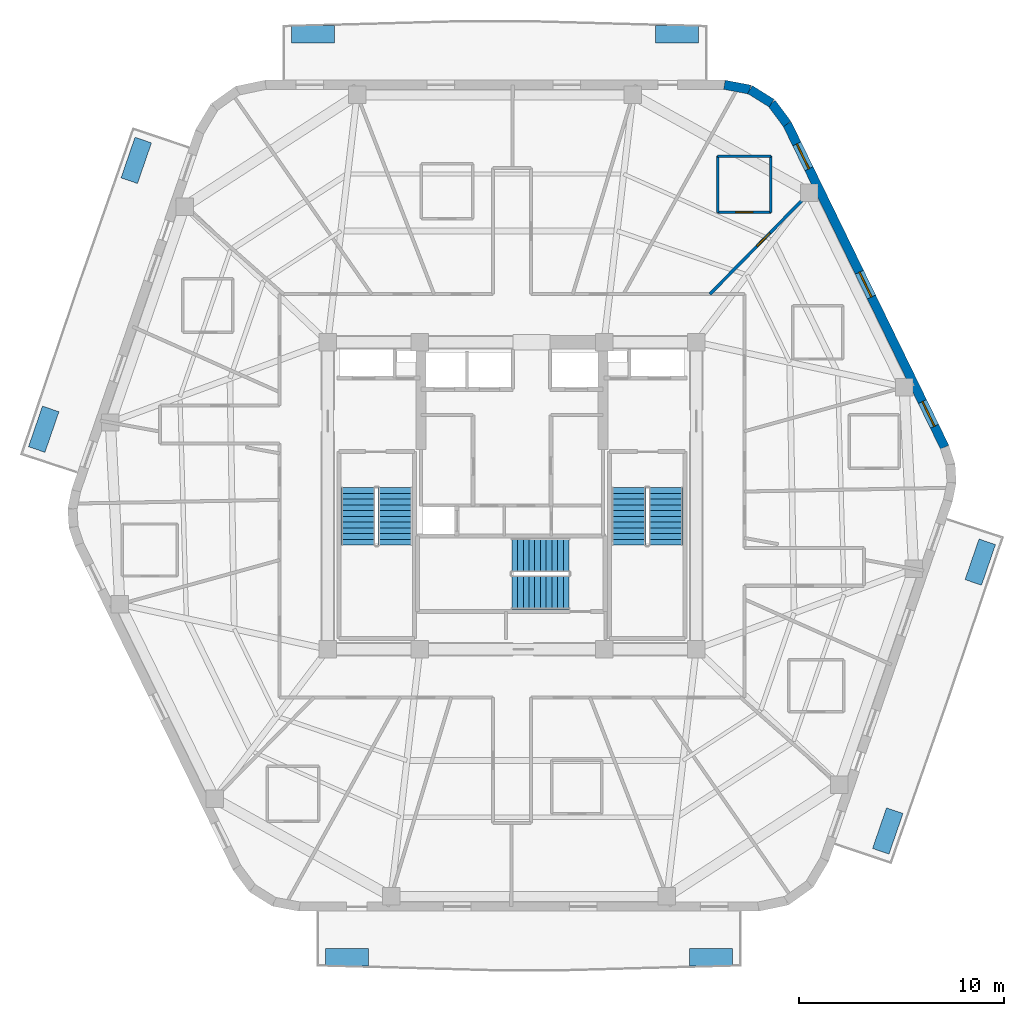
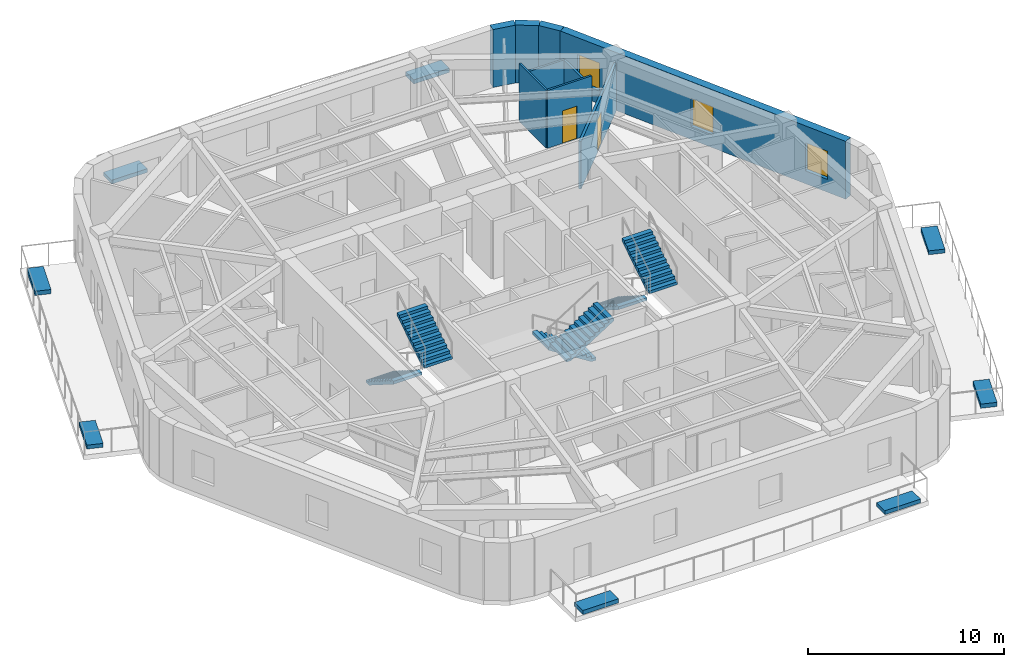
# One storey, part 7 of 9: 9 walls, 8 discrete accessories, 6 stair flights, 3 windows, 2 doors, 5 openings, 3 elements without a shape of their own.
"""IFC4 building model written with IfcOpenShell, lengths in metres."""

import ifcopenshell
import ifcopenshell.guid

model = None  # the IFC model being written
_history = None  # IfcOwnerHistory: only IFC2X3 demands one
_inside = {}  # id of a spatial element -> (the spatial element, [elements in it])
_under = {}  # id of a project, library or spatial element -> (it, [spatial elements below it])
_declared = {}  # id of a project -> (the project, [libraries it declares])
_typed = {}  # id of a type object -> (the type object, [elements of that type])
_made_of = {}  # id of a material, layer set ... -> (it, [elements and type objects made of it])


def new_model(schema):
    """Start an empty IFC model of exactly this schema.

    Asked for "IFC4X3", IfcOpenShell would pick the latest addendum, in which some entities
    have other attributes; the version numbers below select the first issue.
    IFC2X3 requires an IfcOwnerHistory on every rooted entity: one is made here for all.
    """
    global model, _history
    if schema == "IFC4X3":
        model = ifcopenshell.file(schema_version=(4, 3, 0, 0))
    else:
        model = ifcopenshell.file(schema=schema)
    _inside.clear()
    _under.clear()
    _declared.clear()
    _typed.clear()
    _made_of.clear()
    _history = None
    if model.schema == "IFC2X3":
        org = make("IfcOrganization", Name="unknown")
        user = make(
            "IfcPersonAndOrganization",
            ThePerson=make("IfcPerson", FamilyName="unknown"),
            TheOrganization=org,
        )
        app = make(
            "IfcApplication",
            ApplicationDeveloper=org,
            Version="unknown",
            ApplicationFullName="unknown",
            ApplicationIdentifier="unknown",
        )
        _history = make(
            "IfcOwnerHistory",
            OwningUser=user,
            OwningApplication=app,
            ChangeAction="ADDED",
            CreationDate=0,
        )
    return model


def make(cls, **values):
    """One entity of the class cls with the attributes given. An attribute that is None is left unset."""
    return model.create_entity(
        cls, **{name: value for name, value in values.items() if value is not None}
    )


def rooted(cls, **values):
    """An entity with a GlobalId (a new one), such as an element, a storey or a relation."""
    return make(cls, GlobalId=ifcopenshell.guid.new(), OwnerHistory=_history, **values)


def si_unit(unit_type, name, prefix=None):
    """IfcSIUnit, for example si_unit("LENGTHUNIT", "METRE", prefix="MILLI")."""
    return make("IfcSIUnit", UnitType=unit_type, Prefix=prefix, Name=name)


def assignment(units):
    """IfcUnitAssignment: the units of a project."""
    return None if units is None else make("IfcUnitAssignment", Units=units)


def point(xyz):
    """IfcCartesianPoint."""
    return None if xyz is None else make("IfcCartesianPoint", Coordinates=xyz)


def direction(xyz):
    """IfcDirection."""
    return None if xyz is None else make("IfcDirection", DirectionRatios=xyz)


def frame(location, z_axis=None, x_axis=None):
    """IfcAxis2Placement3D, a coordinate frame: its origin and axes. An axis left out is left unset."""
    return make(
        "IfcAxis2Placement3D",
        Location=point(location),
        Axis=direction(z_axis),
        RefDirection=direction(x_axis),
    )


def frame_2d(location, x_axis=None):
    """IfcAxis2Placement2D, a coordinate frame in the plane: its origin and x axis."""
    return make(
        "IfcAxis2Placement2D", Location=point(location), RefDirection=direction(x_axis)
    )


def origin():
    """The frame at (0, 0, 0) with its axes left unset."""
    return frame((0.0, 0.0, 0.0))


def origin_2d():
    """The frame at (0, 0) in the plane with its x axis left unset."""
    return frame_2d((0.0, 0.0))


def place(relative_to, where):
    """IfcLocalPlacement: puts the frame where relative to a parent placement (None: the world)."""
    return make(
        "IfcLocalPlacement", PlacementRelTo=relative_to, RelativePlacement=where
    )


def context(
    kind, dimensions, precision=None, world=None, true_north=None, identifier=None
):
    """IfcGeometricRepresentationContext, for example the 3D "Model" context."""
    return make(
        "IfcGeometricRepresentationContext",
        ContextIdentifier=identifier,
        ContextType=kind,
        CoordinateSpaceDimension=dimensions,
        Precision=precision,
        WorldCoordinateSystem=world,
        TrueNorth=true_north,
    )


def subcontext(parent, identifier, kind, view, scale=None):
    """IfcGeometricRepresentationSubContext, for example "Body" below "Model"."""
    return make(
        "IfcGeometricRepresentationSubContext",
        ContextIdentifier=identifier,
        ContextType=kind,
        ParentContext=parent,
        TargetScale=scale,
        TargetView=view,
    )


def project(units=None, contexts=None):
    """IfcProject with its units and contexts."""
    return rooted(
        "IfcProject",
        Name="project",
        RepresentationContexts=contexts,
        UnitsInContext=assignment(units),
    )


def spatial(cls, under=None, at=None, **own):
    """A site, building, storey or space (cls), placed at a placement, below another one or the project."""
    s = rooted(cls, ObjectPlacement=at, **own)
    if under is not None:
        _under.setdefault(under.id(), (under, []))[1].append(s)
    return s


def polyline(points):
    """IfcPolyline through the points."""
    return make("IfcPolyline", Points=[point(p) for p in points])


def profile(cls, at=None, kind="AREA", **sizes):
    """A parametric profile (cls). Its sizes go by their IFC names, for example OverallWidth=200.0."""
    return make(cls, ProfileType=kind, Position=at, **sizes)


def rectangle(**sizes):
    """IfcRectangleProfileDef."""
    return profile("IfcRectangleProfileDef", **sizes)


def outline(outer, holes=None, kind="AREA"):
    """IfcArbitraryClosedProfileDef: a profile drawn as a closed curve; with holes, ...WithVoids."""
    if holes is None:
        return make("IfcArbitraryClosedProfileDef", ProfileType=kind, OuterCurve=outer)
    return make(
        "IfcArbitraryProfileDefWithVoids",
        ProfileType=kind,
        OuterCurve=outer,
        InnerCurves=holes,
    )


def extrude(swept, where, along, depth):
    """IfcExtrudedAreaSolid: the profile swept, set in the frame where, extruded along a direction by depth."""
    return make(
        "IfcExtrudedAreaSolid",
        SweptArea=swept,
        Position=where,
        ExtrudedDirection=direction(along),
        Depth=depth,
    )


def shape(context_of_items, identifier, shape_type, items):
    """IfcShapeRepresentation: the items that make up one representation, for example the "Body"."""
    return make(
        "IfcShapeRepresentation",
        ContextOfItems=context_of_items,
        RepresentationIdentifier=identifier,
        RepresentationType=shape_type,
        Items=items,
    )


def material(Name=None, Category=None):
    """IfcMaterial."""
    return make("IfcMaterial", Name=Name, Category=Category)


def layer(
    of_material, thickness, ventilated=None, Name=None, Category=None, Priority=None
):
    """IfcMaterialLayer: one layer of a wall or slab, of a material (None: an air gap)."""
    return make(
        "IfcMaterialLayer",
        Material=of_material,
        LayerThickness=thickness,
        IsVentilated=ventilated,
        Name=Name,
        Category=Category,
        Priority=Priority,
    )


def layer_set(layers, Name=None):
    """IfcMaterialLayerSet."""
    return make("IfcMaterialLayerSet", MaterialLayers=layers, LayerSetName=Name)


def made_of(thing, what):
    """Note that an element or type object is made of a material, layer set ...; save() writes the relation."""
    if what is not None:
        _made_of.setdefault(what.id(), (what, []))[1].append(thing)
    return thing


def type_object(cls, material=None, **own):
    """A type object (cls), such as IfcWallType, which elements share."""
    return made_of(rooted(cls, **own), material)


def element(
    cls,
    number,
    at=None,
    inside=None,
    cuts=None,
    type_object=None,
    material=None,
    context=None,
    identifier="Body",
    shape_type=None,
    held_by="IfcProductDefinitionShape",
    body=None,
    shapes=None,
    **own,
):
    """One element of the class cls, such as IfcWall. Its Tag is "e" and its number.

    at: its placement. inside: the storey or other place that contains it. cuts: it is an
    opening in that element (IfcRelVoidsElement). A single representation is given by context,
    identifier, shape_type and body (its items); several are given by shapes. held_by: the class
    of the entity that holds the representations. save() writes the other relations.
    """
    e = rooted(cls, Tag="e%d" % number, ObjectPlacement=at, **own)
    if body is not None:
        shapes = [shape(context, identifier, shape_type, body)]
    if shapes is not None:
        e.Representation = make(held_by, Representations=shapes)
    if inside is not None:
        _inside.setdefault(inside.id(), (inside, []))[1].append(e)
    if cuts is not None:
        rooted(
            "IfcRelVoidsElement", RelatingBuildingElement=cuts, RelatedOpeningElement=e
        )
    if type_object is not None:
        _typed.setdefault(type_object.id(), (type_object, []))[1].append(e)
    return made_of(e, material)


def fill(opening, filler):
    """IfcRelFillsElement: the door or window that sits in an opening."""
    return rooted(
        "IfcRelFillsElement",
        RelatingOpeningElement=opening,
        RelatedBuildingElement=filler,
    )


def aggregate(whole, parts):
    """IfcRelAggregates: a whole, such as a stair, and the parts it consists of."""
    return rooted("IfcRelAggregates", RelatingObject=whole, RelatedObjects=parts)


def save(model, path):
    """Write the relations noted so far, then the file.

    IfcRelAggregates (storeys below a building ...), IfcRelContainedInSpatialStructure (elements
    in a storey), IfcRelDefinesByType, IfcRelAssociatesMaterial and IfcRelDeclares: one each for
    every whole, place, type object, material and project.
    """
    for whole, parts in _under.values():
        aggregate(whole, parts)
    for where, things in _inside.values():
        rooted(
            "IfcRelContainedInSpatialStructure",
            RelatedElements=things,
            RelatingStructure=where,
        )
    for kind, things in _typed.values():
        rooted("IfcRelDefinesByType", RelatedObjects=things, RelatingType=kind)
    for what, things in _made_of.values():
        rooted("IfcRelAssociatesMaterial", RelatedObjects=things, RelatingMaterial=what)
    for by, libraries in _declared.values():
        rooted("IfcRelDeclares", RelatingContext=by, RelatedDefinitions=libraries)
    model.write(path)


model = new_model("IFC4")

# Units and contexts
model_context = context("Model", 3, precision=1e-05, world=origin(), true_north=direction((0.0, 1.0)))
body_context = subcontext(model_context, "Body", "Model", "MODEL_VIEW")
ifc_project = project(units=[si_unit("LENGTHUNIT", "METRE"), si_unit("AREAUNIT", "SQUARE_METRE"), si_unit("VOLUMEUNIT", "CUBIC_METRE"), si_unit("PLANEANGLEUNIT", "RADIAN"), si_unit("MASSUNIT", "GRAM", prefix="KILO")], contexts=[model_context])

# Site, building, storey
site_placement = place(None, origin())
site = spatial("IfcSite", under=ifc_project, at=site_placement, CompositionType="ELEMENT")
building_placement = place(site_placement, origin())
building = spatial("IfcBuilding", under=site, at=building_placement, Name="Kilnhurst Terrace Hotel", CompositionType="ELEMENT")
storey_placement = place(building_placement, frame((0.0, 0.0, 265.199951171875)))
storey = spatial("IfcBuildingStorey", under=building, at=storey_placement, Name="L66", CompositionType="ELEMENT", Elevation=265.199951171875)

# Walls
ifc_material_1 = material(Name="Precast concrete C40/50", Category="concrete")
ifc_layer_1 = layer(ifc_material_1, 0.449951171875, Name="Precast concrete C40/50")
ifc_layer_set_1 = layer_set([ifc_layer_1], Name="Precast concrete C40/50")
wall_type_1 = type_object("IfcWallType", Name="WL-BRK-450", PredefinedType="SOLIDWALL", material=ifc_layer_set_1)
wall_1_placement = place(storey_placement, frame((13.44287109375, 18.159912109375, 0.0), z_axis=(0.0, 0.0, 1.0), x_axis=(-0.597042425808, 0.802209661987, 0.0)))
element("IfcWall", 1, at=wall_1_placement, inside=storey, type_object=wall_type_1, Name="L66 Rounded Corner Brick Wall C4.1", PredefinedType="SOLIDWALL", context=body_context, shape_type="SweptSolid", body=[
    extrude(rectangle(XDim=1.269775390625, YDim=0.449951171875, at=frame_2d((0.634765625, 0.0))), origin(), (0.0, 0.0, 1.0), 3.60009765625),
])
wall_2_placement = place(storey_placement, frame((12.684814453125, 19.178466796875, 0.0), z_axis=(0.0, 0.0, 1.0), x_axis=(-0.848031272749, 0.529946186362, 0.0)))
element("IfcWall", 2, at=wall_2_placement, inside=storey, type_object=wall_type_1, Name="L66 Rounded Corner Brick Wall C4.2", PredefinedType="SOLIDWALL", context=body_context, shape_type="SweptSolid", body=[
    extrude(rectangle(XDim=1.248046875, YDim=0.449951171875, at=frame_2d((0.6240234375, 0.0))), origin(), (0.0, 0.0, 1.0), 3.60009765625),
])
wall_3_placement = place(storey_placement, frame((11.62646484375, 19.83984375, 0.0), z_axis=(0.0, 0.0, 1.0), x_axis=(-0.982701956681, 0.185194126083, 0.0)))
element("IfcWall", 3, at=wall_3_placement, inside=storey, type_object=wall_type_1, Name="L66 Rounded Corner Brick Wall C4.3", PredefinedType="SOLIDWALL", context=body_context, shape_type="SweptSolid", body=[
    extrude(rectangle(XDim=1.26953125, YDim=0.449951171875, at=frame_2d((0.634765625, 0.0))), origin(), (0.0, 0.0, 1.0), 3.60009765625),
])

# Wall, openings, windows
wall_4_placement = place(storey_placement, frame((21.138427734375, 2.370849609375, 0.0), z_axis=(0.0, 0.0, 1.0), x_axis=(-0.438128124058, 0.89891253574, 0.0)))
wall_4 = element("IfcWall", 4, at=wall_4_placement, inside=storey, type_object=wall_type_1, Name="L66 Exterior Brick Facade Wall F3", PredefinedType="SOLIDWALL", context=body_context, shape_type="SweptSolid", body=[
    extrude(rectangle(XDim=17.564697265625, YDim=0.449951171875, at=frame_2d((8.7822265625, 0.0))), origin(), (0.0, 0.0, 1.0), 3.60009765625),
])
opening_1_placement = place(wall_4_placement, frame((1.133056640625, 0.0, 0.800048828125)))
opening_1 = element("IfcOpeningElement", 5, at=opening_1_placement, cuts=wall_4, Name="Opening W-06", PredefinedType="OPENING", context=body_context, shape_type="SweptSolid", body=[
    extrude(rectangle(XDim=1.35009765625, YDim=1.75, at=frame_2d((0.675048828125, 0.875))), frame((0.0, 0.23486328125, 0.0), z_axis=(0.0, -1.0, 0.0), x_axis=(1.0, 0.0, 0.0)), (0.0, 0.0, 1.0), 0.469970703125),
])
opening_2_placement = place(wall_4_placement, frame((8.157958984375, 0.0, 0.800048828125)))
opening_2 = element("IfcOpeningElement", 6, at=opening_2_placement, cuts=wall_4, Name="Opening W-06", PredefinedType="OPENING", context=body_context, shape_type="SweptSolid", body=[
    extrude(rectangle(XDim=1.35009765625, YDim=1.75, at=frame_2d((0.675048828125, 0.875))), frame((0.0, 0.23486328125, 0.0), z_axis=(0.0, -1.0, 0.0), x_axis=(1.0, 0.0, 0.0)), (0.0, 0.0, 1.0), 0.469970703125),
])
opening_3_placement = place(wall_4_placement, frame((15.132080078125, 0.0, 0.800048828125)))
opening_3 = element("IfcOpeningElement", 7, at=opening_3_placement, cuts=wall_4, Name="Opening W-06", PredefinedType="OPENING", context=body_context, shape_type="SweptSolid", body=[
    extrude(rectangle(XDim=1.35009765625, YDim=1.75, at=frame_2d((0.675048828125, 0.875))), frame((0.0, 0.23486328125, 0.0), z_axis=(0.0, -1.0, 0.0), x_axis=(1.0, 0.0, 0.0)), (0.0, 0.0, 1.0), 0.469970703125),
])
ifc_material_2 = material(Name="Thermally Broken Bronze Aluminium Alloy 6063-T6 and Low-E Glass", Category="aluminium")
window_type = type_object("IfcWindowType", Name="WIN-1350X1750", PartitioningType="SINGLE_PANEL", PredefinedType="WINDOW", material=ifc_material_2)
window_1_placement = place(opening_1_placement, origin())
window_1 = element("IfcWindow", 8, at=window_1_placement, inside=storey, type_object=window_type, Name="L66 Deep-Set Masonry Window F3.1", OverallHeight=1.75, OverallWidth=1.35009765625, PartitioningType="SINGLE_PANEL", PredefinedType="WINDOW", context=body_context, shape_type="SweptSolid", body=[
    extrude(rectangle(XDim=1.35009765625, YDim=1.75, at=frame_2d((0.675048828125, 0.875))), frame((0.0, 0.030029296875, 0.0), z_axis=(0.0, -1.0, 0.0), x_axis=(1.0, 0.0, 0.0)), (0.0, 0.0, 1.0), 0.06005859375),
])
fill(opening_1, window_1)
window_2_placement = place(opening_2_placement, origin())
window_2 = element("IfcWindow", 9, at=window_2_placement, inside=storey, type_object=window_type, Name="L66 Deep-Set Masonry Window F3.2", OverallHeight=1.75, OverallWidth=1.35009765625, PartitioningType="SINGLE_PANEL", PredefinedType="WINDOW", context=body_context, shape_type="SweptSolid", body=[
    extrude(rectangle(XDim=1.35009765625, YDim=1.75, at=frame_2d((0.675048828125, 0.875))), frame((0.0, 0.030029296875, 0.0), z_axis=(0.0, -1.0, 0.0), x_axis=(1.0, 0.0, 0.0)), (0.0, 0.0, 1.0), 0.06005859375),
])
fill(opening_2, window_2)
window_3_placement = place(opening_3_placement, origin())
window_3 = element("IfcWindow", 10, at=window_3_placement, inside=storey, type_object=window_type, Name="L66 Deep-Set Masonry Window F3.3", OverallHeight=1.75, OverallWidth=1.35009765625, PartitioningType="SINGLE_PANEL", PredefinedType="WINDOW", context=body_context, shape_type="SweptSolid", body=[
    extrude(rectangle(XDim=1.35009765625, YDim=1.75, at=frame_2d((0.675048828125, 0.875))), frame((0.0, 0.030029296875, 0.0), z_axis=(0.0, -1.0, 0.0), x_axis=(1.0, 0.0, 0.0)), (0.0, 0.0, 1.0), 0.06005859375),
])
fill(opening_3, window_3)

# Wall, opening, door
ifc_material_3 = material(Name="STC-58 Acoustic Twin-Frame Guestroom Demising Partition")
ifc_layer_2 = layer(ifc_material_3, 0.14990234375, Name="STC-58 Acoustic Twin-Frame Guestroom Demising Partition")
ifc_layer_set_2 = layer_set([ifc_layer_2], Name="STC-58 Acoustic Twin-Frame Guestroom Demising Partition")
wall_type_2 = type_object("IfcWallType", Name="WL-DEM-150", PredefinedType="PARTITIONING", material=ifc_layer_set_2)
wall_5_placement = place(storey_placement, frame((9.67236328125, 9.85009765625, 0.0), z_axis=(0.0, 0.0, 1.0), x_axis=(0.700629771301, 0.713524998558, 0.0)))
wall_5 = element("IfcWall", 11, at=wall_5_placement, inside=storey, type_object=wall_type_2, Name="L66 Interior Wall WL-L66-DEM-COL02-03-1", PredefinedType="PARTITIONING", context=body_context, shape_type="SweptSolid", body=[
    extrude(rectangle(XDim=7.45947265625, YDim=0.14990234375, at=frame_2d((3.729736328125, 0.0))), origin(), (0.0, 0.0, 1.0), 2.93994140625),
])
opening_4_placement = place(wall_5_placement, frame((3.280029296875, 0.0, 0.0)))
opening_4 = element("IfcOpeningElement", 12, at=opening_4_placement, cuts=wall_5, Name="Opening D-09B", PredefinedType="OPENING", context=body_context, shape_type="SweptSolid", body=[
    extrude(rectangle(XDim=0.89990234375, YDim=2.030029296875, at=frame_2d((0.449951171875, 1.01513671875))), frame((0.0, 0.0849609375, 0.0), z_axis=(0.0, -1.0, 0.0), x_axis=(1.0, 0.0, 0.0)), (0.0, 0.0, 1.0), 0.169921875),
])
ifc_material_4 = material(Name="Moisture-Resistant Solid-Core Restroom Door")
door_type_1 = type_object("IfcDoorType", Name="DR-INT-900", OperationType="NOTDEFINED", PredefinedType="DOOR", material=ifc_material_4)
door_1_placement = place(opening_4_placement, origin())
door_1 = element("IfcDoor", 13, at=door_1_placement, inside=storey, type_object=door_type_1, Name="L66 Sky Residence Bedroom Door 2", OperationType="SINGLE_SWING_RIGHT", OverallHeight=2.030029296875, OverallWidth=0.89990234375, PredefinedType="DOOR", context=body_context, shape_type="SweptSolid", body=[
    extrude(rectangle(XDim=0.89990234375, YDim=2.030029296875, at=frame_2d((0.449951171875, 1.01513671875))), frame((0.0, 0.02490234375, 0.0), z_axis=(0.0, -1.0, 0.0), x_axis=(1.0, 0.0, 0.0)), (0.0, 0.0, 1.0), 0.050048828125),
])
fill(opening_4, door_1)

ifc_material_5 = material(Name="120 mm Moisture-Resistant Tile-Backed Bathroom Partition")
ifc_layer_3 = layer(ifc_material_5, 0.1201171875, Name="120 mm Moisture-Resistant Tile-Backed Bathroom Partition")
ifc_layer_set_3 = layer_set([ifc_layer_3], Name="120 mm Moisture-Resistant Tile-Backed Bathroom Partition")
wall_type_3 = type_object("IfcWallType", Name="WL-PART-120", PredefinedType="PARTITIONING", material=ifc_layer_set_3)
wall_6_placement = place(storey_placement, frame((10.049072265625, 13.840087890625, 0.0), z_axis=(0.0, 0.0, 1.0), x_axis=(1.0, 0.0, 0.0)))
wall_6 = element("IfcWall", 14, at=wall_6_placement, inside=storey, type_object=wall_type_3, Name="L66 Interior Wall WL-L66-RBTH-02-1", PredefinedType="PARTITIONING", context=body_context, shape_type="SweptSolid", body=[
    extrude(rectangle(XDim=2.599853515625, YDim=0.1201171875, at=frame_2d((1.2998046875, 0.0))), origin(), (0.0, 0.0, 1.0), 3.60009765625),
])
opening_5_placement = place(wall_6_placement, frame((0.875, 0.0, 0.0)))
opening_5 = element("IfcOpeningElement", 15, at=opening_5_placement, cuts=wall_6, Name="Opening D-08A", PredefinedType="OPENING", context=body_context, shape_type="SweptSolid", body=[
    extrude(rectangle(XDim=0.85009765625, YDim=2.030029296875, at=frame_2d((0.425048828125, 1.01513671875))), frame((0.0, 0.070068359375, 0.0), z_axis=(0.0, -1.0, 0.0), x_axis=(1.0, 0.0, 0.0)), (0.0, 0.0, 1.0), 0.14013671875),
])
ifc_material_6 = material(Name="Moisture-Resistant Lacquered En-suite Bathroom Door")
door_type_2 = type_object("IfcDoorType", Name="DR-INT-850", OperationType="NOTDEFINED", PredefinedType="DOOR", material=ifc_material_6)
door_2_placement = place(opening_5_placement, origin())
door_2 = element("IfcDoor", 16, at=door_2_placement, inside=storey, type_object=door_type_2, Name="L66 Sky Residence Bathroom Door 2", OperationType="SINGLE_SWING_LEFT", OverallHeight=2.030029296875, OverallWidth=0.85009765625, PredefinedType="DOOR", context=body_context, shape_type="SweptSolid", body=[
    extrude(rectangle(XDim=0.85009765625, YDim=2.030029296875, at=frame_2d((0.425048828125, 1.01513671875))), frame((0.0, 0.02490234375, 0.0), z_axis=(0.0, -1.0, 0.0), x_axis=(1.0, 0.0, 0.0)), (0.0, 0.0, 1.0), 0.050048828125),
])
fill(opening_5, door_2)

# Walls
wall_7_placement = place(storey_placement, frame((12.64892578125, 13.840087890625, 0.0), z_axis=(0.0, 0.0, 1.0), x_axis=(0.0, 1.0, 0.0)))
element("IfcWall", 17, at=wall_7_placement, inside=storey, type_object=wall_type_3, Name="L66 Interior Wall WL-L66-RBTH-02-2", PredefinedType="PARTITIONING", context=body_context, shape_type="SweptSolid", body=[
    extrude(rectangle(XDim=2.75, YDim=0.1201171875, at=frame_2d((1.375, 0.0))), origin(), (0.0, 0.0, 1.0), 2.93994140625),
])
wall_8_placement = place(storey_placement, frame((12.64892578125, 16.590087890625, 0.0), z_axis=(0.0, 0.0, 1.0), x_axis=(-1.0, 0.0, 0.0)))
element("IfcWall", 18, at=wall_8_placement, inside=storey, type_object=wall_type_3, Name="L66 Interior Wall WL-L66-RBTH-02-3", PredefinedType="PARTITIONING", context=body_context, shape_type="SweptSolid", body=[
    extrude(rectangle(XDim=2.599853515625, YDim=0.1201171875, at=frame_2d((1.2998046875, 0.0))), origin(), (0.0, 0.0, 1.0), 2.93994140625),
])
wall_9_placement = place(storey_placement, frame((10.049072265625, 16.590087890625, 0.0), z_axis=(0.0, 0.0, 1.0), x_axis=(0.0, -1.0, 0.0)))
element("IfcWall", 19, at=wall_9_placement, inside=storey, type_object=wall_type_3, Name="L66 Interior Wall WL-L66-RBTH-02-4", PredefinedType="PARTITIONING", context=body_context, shape_type="SweptSolid", body=[
    extrude(rectangle(XDim=2.75, YDim=0.1201171875, at=frame_2d((1.375, 0.0))), origin(), (0.0, 0.0, 1.0), 3.60009765625),
])

# Stair, stair flights
ifc_material_7 = material(Name="Concrete C50/60", Category="concrete")
stair_type = type_object("IfcStairType", Name="STR-CORE-1660", PredefinedType="HALF_TURN_STAIR", material=ifc_material_7)
stair_1_placement = place(storey_placement, origin())
stair_1 = element("IfcStair", 20, at=stair_1_placement, inside=storey, type_object=stair_type, Name="L66 ST-1", PredefinedType="HALF_TURN_STAIR")
stair_flight_type = type_object("IfcStairFlightType", Name="FLT-RC-1660", PredefinedType="STRAIGHT", material=ifc_material_7)
stair_flight_1_placement = place(storey_placement, frame((-7.52001953125, 0.389892578125, 0.0), z_axis=(0.0, 0.0, 1.0), x_axis=(0.0, -1.0, 0.0)))
stair_flight_1 = element("IfcStairFlight", 21, at=stair_flight_1_placement, type_object=stair_flight_type, Name="ST-1 flight 1", NumberOfRisers=11, NumberOfTreads=10, PredefinedType="STRAIGHT", RiserHeight=0.177272727, TreadLength=0.28, context=body_context, shape_type="SweptSolid", body=[
    extrude(outline(polyline([(0.0, 0.0), (0.0, 0.17724609375), (0.280029296875, 0.17724609375), (0.280029296875, 0.3544921875), (0.56005859375, 0.3544921875), (0.56005859375, 0.53173828125), (0.840087890625, 0.53173828125), (0.840087890625, 0.708984375), (1.1201171875, 0.708984375), (1.1201171875, 0.886474609375), (1.39990234375, 0.886474609375), (1.39990234375, 1.063720703125), (1.679931640625, 1.063720703125), (1.679931640625, 1.240966796875), (1.9599609375, 1.240966796875), (1.9599609375, 1.418212890625), (2.239990234375, 1.418212890625), (2.239990234375, 1.595458984375), (2.52001953125, 1.595458984375), (2.52001953125, 1.772705078125), (2.800048828125, 1.772705078125), (2.800048828125, 1.949951171875), (2.800048828125, 1.59521484375), (0.2802734375, 0.0), (0.0, 0.0)])), frame((0.0, 0.830078125, 0.0), z_axis=(0.0, -1.0, 0.0), x_axis=(1.0, 0.0, 0.0)), (0.0, 0.0, 1.0), 1.659912109375),
])
stair_flight_2_placement = place(storey_placement, frame((-5.7099609375, -2.409912109375, 1.949951171875), z_axis=(0.0, 0.0, 1.0), x_axis=(0.0, 1.0, 0.0)))
stair_flight_2 = element("IfcStairFlight", 22, at=stair_flight_2_placement, type_object=stair_flight_type, Name="ST-1 flight 2", NumberOfRisers=11, NumberOfTreads=10, PredefinedType="STRAIGHT", RiserHeight=0.177272727, TreadLength=0.28, context=body_context, shape_type="SweptSolid", body=[
    extrude(outline(polyline([(0.0, 0.0), (0.0, 0.17724609375), (0.280029296875, 0.17724609375), (0.280029296875, 0.3544921875), (0.56005859375, 0.3544921875), (0.56005859375, 0.53173828125), (0.840087890625, 0.53173828125), (0.840087890625, 0.708984375), (1.1201171875, 0.708984375), (1.1201171875, 0.886474609375), (1.39990234375, 0.886474609375), (1.39990234375, 1.063720703125), (1.679931640625, 1.063720703125), (1.679931640625, 1.240966796875), (1.9599609375, 1.240966796875), (1.9599609375, 1.418212890625), (2.239990234375, 1.418212890625), (2.239990234375, 1.595458984375), (2.52001953125, 1.595458984375), (2.52001953125, 1.772705078125), (2.800048828125, 1.772705078125), (2.800048828125, 1.949951171875), (2.800048828125, 1.59521484375), (0.2802734375, 0.0), (0.0, 0.0)])), frame((0.0, 0.830078125, 0.0), z_axis=(0.0, -1.0, 0.0), x_axis=(1.0, 0.0, 0.0)), (0.0, 0.0, 1.0), 1.659912109375),
])
aggregate(stair_1, [stair_flight_1, stair_flight_2])

stair_2_placement = place(storey_placement, origin())
stair_2 = element("IfcStair", 23, at=stair_2_placement, inside=storey, type_object=stair_type, Name="L66 ST-2", PredefinedType="HALF_TURN_STAIR")
stair_flight_3_placement = place(storey_placement, frame((5.7099609375, 0.389892578125, 0.0), z_axis=(0.0, 0.0, 1.0), x_axis=(0.0, -1.0, 0.0)))
stair_flight_3 = element("IfcStairFlight", 24, at=stair_flight_3_placement, type_object=stair_flight_type, Name="ST-2 flight 1", NumberOfRisers=11, NumberOfTreads=10, PredefinedType="STRAIGHT", RiserHeight=0.177272727, TreadLength=0.28, context=body_context, shape_type="SweptSolid", body=[
    extrude(outline(polyline([(0.0, 0.0), (0.0, 0.17724609375), (0.280029296875, 0.17724609375), (0.280029296875, 0.3544921875), (0.56005859375, 0.3544921875), (0.56005859375, 0.53173828125), (0.840087890625, 0.53173828125), (0.840087890625, 0.708984375), (1.1201171875, 0.708984375), (1.1201171875, 0.886474609375), (1.39990234375, 0.886474609375), (1.39990234375, 1.063720703125), (1.679931640625, 1.063720703125), (1.679931640625, 1.240966796875), (1.9599609375, 1.240966796875), (1.9599609375, 1.418212890625), (2.239990234375, 1.418212890625), (2.239990234375, 1.595458984375), (2.52001953125, 1.595458984375), (2.52001953125, 1.772705078125), (2.800048828125, 1.772705078125), (2.800048828125, 1.949951171875), (2.800048828125, 1.59521484375), (0.2802734375, 0.0), (0.0, 0.0)])), frame((0.0, 0.830078125, 0.0), z_axis=(0.0, -1.0, 0.0), x_axis=(1.0, 0.0, 0.0)), (0.0, 0.0, 1.0), 1.659912109375),
])
stair_flight_4_placement = place(storey_placement, frame((7.52001953125, -2.409912109375, 1.949951171875), z_axis=(0.0, 0.0, 1.0), x_axis=(0.0, 1.0, 0.0)))
stair_flight_4 = element("IfcStairFlight", 25, at=stair_flight_4_placement, type_object=stair_flight_type, Name="ST-2 flight 2", NumberOfRisers=11, NumberOfTreads=10, PredefinedType="STRAIGHT", RiserHeight=0.177272727, TreadLength=0.28, context=body_context, shape_type="SweptSolid", body=[
    extrude(outline(polyline([(0.0, 0.0), (0.0, 0.17724609375), (0.280029296875, 0.17724609375), (0.280029296875, 0.3544921875), (0.56005859375, 0.3544921875), (0.56005859375, 0.53173828125), (0.840087890625, 0.53173828125), (0.840087890625, 0.708984375), (1.1201171875, 0.708984375), (1.1201171875, 0.886474609375), (1.39990234375, 0.886474609375), (1.39990234375, 1.063720703125), (1.679931640625, 1.063720703125), (1.679931640625, 1.240966796875), (1.9599609375, 1.240966796875), (1.9599609375, 1.418212890625), (2.239990234375, 1.418212890625), (2.239990234375, 1.595458984375), (2.52001953125, 1.595458984375), (2.52001953125, 1.772705078125), (2.800048828125, 1.772705078125), (2.800048828125, 1.949951171875), (2.800048828125, 1.59521484375), (0.2802734375, 0.0), (0.0, 0.0)])), frame((0.0, 0.830078125, 0.0), z_axis=(0.0, -1.0, 0.0), x_axis=(1.0, 0.0, 0.0)), (0.0, 0.0, 1.0), 1.659912109375),
])
aggregate(stair_2, [stair_flight_3, stair_flight_4])

stair_3_placement = place(storey_placement, origin())
stair_3 = element("IfcStair", 26, at=stair_3_placement, inside=storey, type_object=stair_type, Name="L66 ST-3", PredefinedType="HALF_TURN_STAIR")
stair_flight_5_placement = place(storey_placement, frame((2.7900390625, -2.909912109375, 0.0), z_axis=(0.0, 0.0, 1.0), x_axis=(-1.0, 0.0, 0.0)))
stair_flight_5 = element("IfcStairFlight", 27, at=stair_flight_5_placement, type_object=stair_flight_type, Name="ST-3 flight 1", NumberOfRisers=11, NumberOfTreads=10, PredefinedType="STRAIGHT", RiserHeight=0.177272727, TreadLength=0.28, context=body_context, shape_type="SweptSolid", body=[
    extrude(outline(polyline([(0.0, 0.0), (0.0, 0.17724609375), (0.280029296875, 0.17724609375), (0.280029296875, 0.3544921875), (0.56005859375, 0.3544921875), (0.56005859375, 0.53173828125), (0.840087890625, 0.53173828125), (0.840087890625, 0.708984375), (1.1201171875, 0.708984375), (1.1201171875, 0.886474609375), (1.39990234375, 0.886474609375), (1.39990234375, 1.063720703125), (1.679931640625, 1.063720703125), (1.679931640625, 1.240966796875), (1.9599609375, 1.240966796875), (1.9599609375, 1.418212890625), (2.239990234375, 1.418212890625), (2.239990234375, 1.595458984375), (2.52001953125, 1.595458984375), (2.52001953125, 1.772705078125), (2.800048828125, 1.772705078125), (2.800048828125, 1.949951171875), (2.800048828125, 1.59521484375), (0.2802734375, 0.0), (0.0, 0.0)])), frame((0.0, 0.830078125, 0.0), z_axis=(0.0, -1.0, 0.0), x_axis=(1.0, 0.0, 0.0)), (0.0, 0.0, 1.0), 1.659912109375),
])
stair_flight_6_placement = place(storey_placement, frame((-0.010009765625, -4.719970703125, 1.949951171875), z_axis=(0.0, 0.0, 1.0), x_axis=(1.0, 0.0, 0.0)))
stair_flight_6 = element("IfcStairFlight", 28, at=stair_flight_6_placement, type_object=stair_flight_type, Name="ST-3 flight 2", NumberOfRisers=11, NumberOfTreads=10, PredefinedType="STRAIGHT", RiserHeight=0.177272727, TreadLength=0.28, context=body_context, shape_type="SweptSolid", body=[
    extrude(outline(polyline([(0.0, 0.0), (0.0, 0.17724609375), (0.280029296875, 0.17724609375), (0.280029296875, 0.3544921875), (0.56005859375, 0.3544921875), (0.56005859375, 0.53173828125), (0.840087890625, 0.53173828125), (0.840087890625, 0.708984375), (1.1201171875, 0.708984375), (1.1201171875, 0.886474609375), (1.39990234375, 0.886474609375), (1.39990234375, 1.063720703125), (1.679931640625, 1.063720703125), (1.679931640625, 1.240966796875), (1.9599609375, 1.240966796875), (1.9599609375, 1.418212890625), (2.239990234375, 1.418212890625), (2.239990234375, 1.595458984375), (2.52001953125, 1.595458984375), (2.52001953125, 1.772705078125), (2.800048828125, 1.772705078125), (2.800048828125, 1.949951171875), (2.800048828125, 1.59521484375), (0.2802734375, 0.0), (0.0, 0.0)])), frame((0.0, 0.830078125, 0.0), z_axis=(0.0, -1.0, 0.0), x_axis=(1.0, 0.0, 0.0)), (0.0, 0.0, 1.0), 1.659912109375),
])
aggregate(stair_3, [stair_flight_5, stair_flight_6])

# Discrete accessories
ifc_material_8 = material(Name="Precast Concrete C40/50 Shrub Planter", Category="concrete")
discrete_accessory_type_1 = type_object("IfcDiscreteAccessoryType", Name="PLN-SHRUB-240", PredefinedType="USERDEFINED", material=ifc_material_8)
for number, where, z_axis, x_axis, name in (
    (29, (9.711669921875, -22.550048828125, 0.0), (0.0, 0.0, 1.0), (1.0, 0.0, 0.0), "L66 Structural Tree Planter Box PLANTER BAL-L1A.2"),
    (30, (22.8779296875, -3.246826171875, 0.0), (0.0, 0.0, 1.0), (0.325403125376, 0.94557538356, 0.0), "L66 Structural Tree Planter Box PLANTER BAL-L1B.2"),
    (31, (-9.711669921875, 22.550048828125, 0.0), (0.0, 0.0, 1.0), (-1.0, 0.0, 0.0), "L66 Structural Tree Planter Box PLANTER BAL-L2A.2"),
    (32, (-22.8779296875, 3.246826171875, 0.0), (0.0, 0.0, 1.0), (-0.325403125376, -0.94557538356, 0.0), "L66 Structural Tree Planter Box PLANTER BAL-L2B.2"),
):
    element("IfcDiscreteAccessory", number, at=place(storey_placement, frame(where, z_axis=z_axis, x_axis=x_axis)), inside=storey, type_object=discrete_accessory_type_1, Name=name, ObjectType="PLANTER", PredefinedType="USERDEFINED", context=body_context, shape_type="SweptSolid", body=[
        extrude(rectangle(XDim=2.10009765625, YDim=0.85009765625, at=origin_2d()), origin(), (0.0, 0.0, 1.0), 0.239990234375),
    ])
ifc_material_9 = material(Name="Precast Concrete C40/50 Tree Planter", Category="concrete")
discrete_accessory_type_2 = type_object("IfcDiscreteAccessoryType", Name="PLN-TREE-260", PredefinedType="USERDEFINED", material=ifc_material_9)
for number, where, z_axis, x_axis, name in (
    (33, (-8.0498046875, -22.550048828125, 0.0), (0.0, 0.0, 1.0), (1.0, 0.0, 0.0), "L66 Structural Tree Planter Box PLANTER BAL-L1A.1"),
    (34, (18.35791015625, -16.381591796875, 0.0), (0.0, 0.0, 1.0), (0.325403125376, 0.94557538356, 0.0), "L66 Structural Tree Planter Box PLANTER BAL-L1B.1"),
    (35, (8.0498046875, 22.550048828125, 0.0), (0.0, 0.0, 1.0), (-1.0, 0.0, 0.0), "L66 Structural Tree Planter Box PLANTER BAL-L2A.1"),
    (36, (-18.35791015625, 16.381591796875, 0.0), (0.0, 0.0, 1.0), (-0.325403125376, -0.94557538356, 0.0), "L66 Structural Tree Planter Box PLANTER BAL-L2B.1"),
):
    element("IfcDiscreteAccessory", number, at=place(storey_placement, frame(where, z_axis=z_axis, x_axis=x_axis)), inside=storey, type_object=discrete_accessory_type_2, Name=name, ObjectType="PLANTER", PredefinedType="USERDEFINED", context=body_context, shape_type="SweptSolid", body=[
        extrude(rectangle(XDim=2.10009765625, YDim=0.85009765625, at=origin_2d()), origin(), (0.0, 0.0, 1.0), 0.260009765625),
    ])

save(model, "model.ifc")
